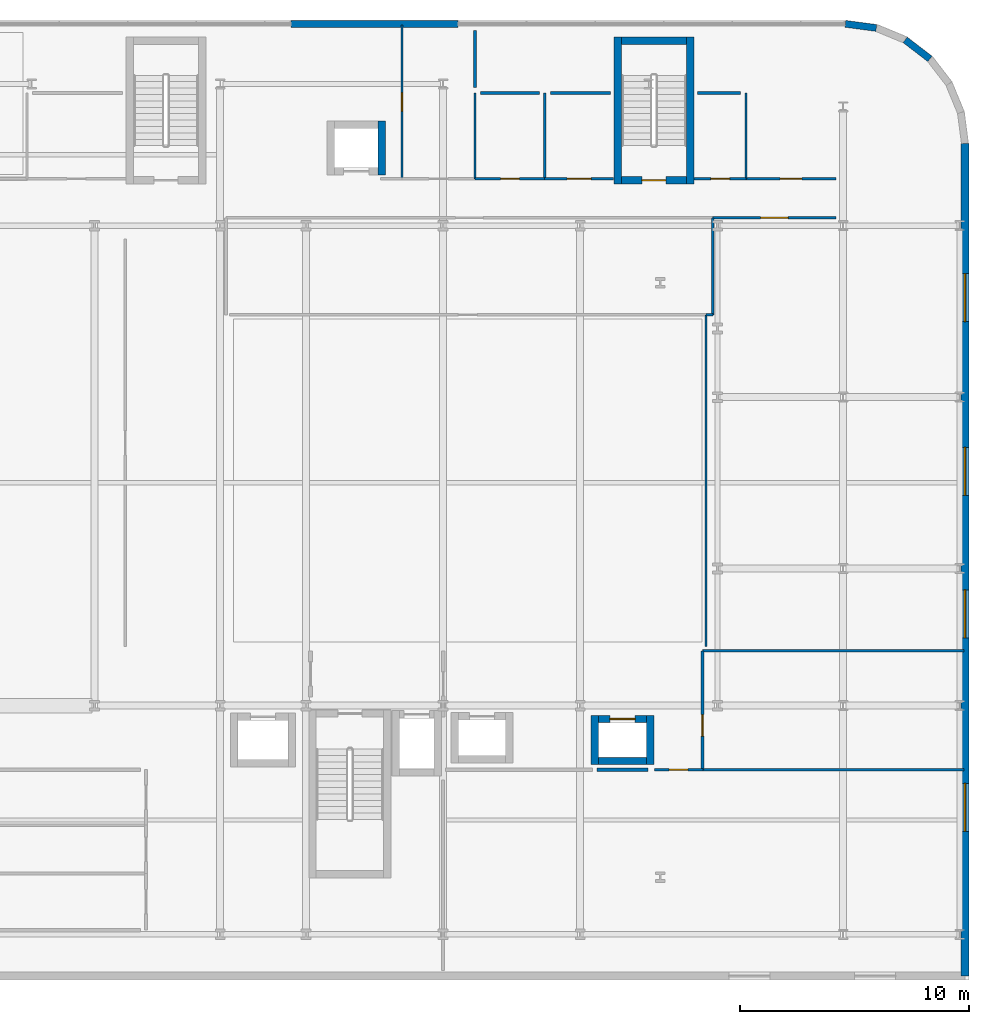
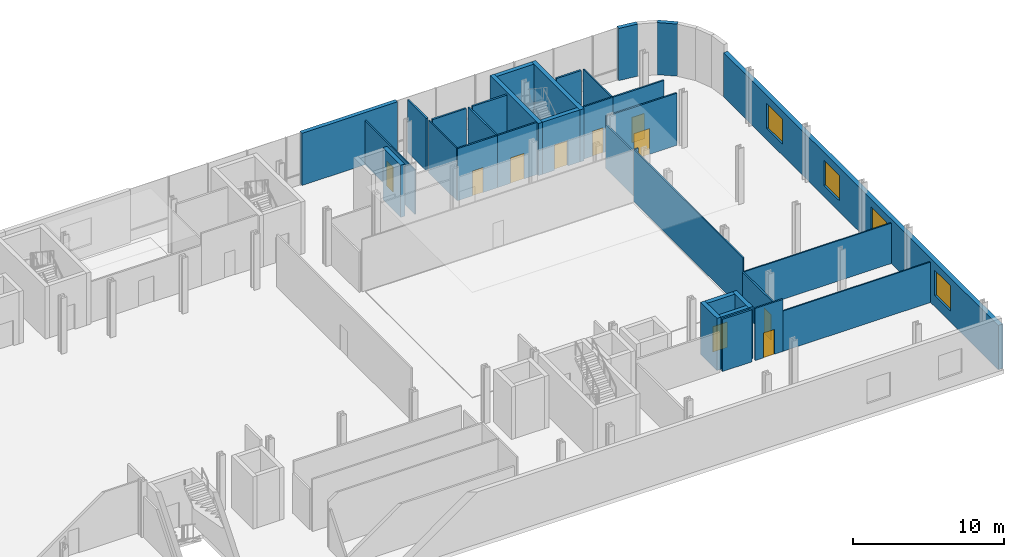
# One storey, part 20 of 25: 34 walls, 10 doors, 4 windows, 14 openings.
"""IFC4 building model written with IfcOpenShell, lengths in metres."""

from ifc_helpers import new_model, si_unit, direction, frame, frame_2d, origin, place, context, subcontext, project, spatial, rectangle, extrude, material, layer, layer_set, type_object, element, fill, save


model = new_model("IFC4")

# Units and contexts
model_context = context("Model", 3, precision=1e-05, world=origin(), true_north=direction((0.0, 1.0)))
body_context = subcontext(model_context, "Body", "Model", "MODEL_VIEW")
ifc_project = project(units=[si_unit("LENGTHUNIT", "METRE"), si_unit("AREAUNIT", "SQUARE_METRE"), si_unit("VOLUMEUNIT", "CUBIC_METRE"), si_unit("PLANEANGLEUNIT", "RADIAN"), si_unit("MASSUNIT", "GRAM", prefix="KILO")], contexts=[model_context])

# Site, building, storey
site_placement = place(None, origin())
site = spatial("IfcSite", under=ifc_project, at=site_placement, CompositionType="ELEMENT")
building_placement = place(site_placement, origin())
building = spatial("IfcBuilding", under=site, at=building_placement, Name="Brevholm Reach", CompositionType="ELEMENT")
storey_placement = place(building_placement, frame((0.0, 0.0, 4.5)))
storey = spatial("IfcBuildingStorey", under=building, at=storey_placement, Name="L01", CompositionType="ELEMENT", Elevation=4.5)

# Walls
ifc_material_1 = material(Name="Concrete C60/75", Category="concrete")
ifc_layer_1 = layer(ifc_material_1, 0.320068359375)
ifc_layer_set_1 = layer_set([ifc_layer_1], Name="Concrete C60/75")
wall_type_1 = type_object("IfcWallType", Name="WAL-COR-320", PredefinedType="SHEAR", material=ifc_layer_set_1)
for number, where, z_axis, x_axis, name in (
    (1, (55.639892578125, 32.830078125, 0.0), (0.0, 0.0, 1.0), (0.0, 1.0, 0.0), "L01 Escape Stair ST-S4 Core Wall W"),
    (2, (58.81005859375, 32.830078125, 0.0), (0.0, 0.0, 1.0), (0.0, 1.0, 0.0), "L01 Escape Stair ST-S4 Core Wall E"),
):
    element("IfcWall", number, at=place(storey_placement, frame(where, z_axis=z_axis, x_axis=x_axis)), inside=storey, type_object=wall_type_1, Name=name, PredefinedType="SHEAR", context=body_context, shape_type="SweptSolid", body=[
        extrude(rectangle(XDim=6.419921875, YDim=0.320068359375, at=frame_2d((3.2099609375, 0.0))), origin(), (0.0, 0.0, 1.0), 4.219970703125),
    ])

# Wall, opening, door
wall_1_placement = place(storey_placement, frame((55.800048828125, 32.989990234375, 0.0), z_axis=(0.0, 0.0, 1.0), x_axis=(1.0, 0.0, 0.0)))
wall_1 = element("IfcWall", 3, at=wall_1_placement, inside=storey, type_object=wall_type_1, Name="L01 Escape Stair ST-S4 Core Wall S", PredefinedType="SHEAR", context=body_context, shape_type="SweptSolid", body=[
    extrude(rectangle(XDim=2.849853515625, YDim=0.320068359375, at=frame_2d((1.4248046875, 0.0))), origin(), (0.0, 0.0, 1.0), 4.219970703125),
])
opening_1_placement = place(wall_1_placement, frame((0.89990234375, 0.0, 0.0)))
opening_1 = element("IfcOpeningElement", 4, at=opening_1_placement, cuts=wall_1, Name="Opening SD-ST-S4", PredefinedType="OPENING", context=body_context, shape_type="SweptSolid", body=[
    extrude(rectangle(XDim=1.050048828125, YDim=2.06005859375, at=frame_2d((0.52490234375, 1.030029296875))), frame((0.0, 0.169921875, 0.0), z_axis=(0.0, -1.0, 0.0), x_axis=(1.0, 0.0, 0.0)), (0.0, 0.0, 1.0), 0.340087890625),
])
ifc_material_2 = material(Name="Hardwood-Lipped Steel-Core Fire and Smoke Door", Category="steel")
door_type_1 = type_object("IfcDoorType", Name="DOR-INT-FD60S", OperationType="NOTDEFINED", PredefinedType="DOOR", material=ifc_material_2)
door_1_placement = place(opening_1_placement, origin())
door_1 = element("IfcDoor", 5, at=door_1_placement, inside=storey, type_object=door_type_1, Name="L01 Protected Stair ST-S4 Lobby Door", OperationType="SINGLE_SWING_RIGHT", OverallHeight=2.06005859375, OverallWidth=1.050048828125, PredefinedType="DOOR", context=body_context, shape_type="SweptSolid", body=[
    extrude(rectangle(XDim=1.050048828125, YDim=2.06005859375, at=frame_2d((0.52490234375, 1.030029296875))), frame((0.0, 0.02490234375, 0.0), z_axis=(0.0, -1.0, 0.0), x_axis=(1.0, 0.0, 0.0)), (0.0, 0.0, 1.0), 0.050048828125),
])
fill(opening_1, door_1)

# Walls
wall_2_placement = place(storey_placement, frame((58.64990234375, 39.090087890625, 0.0), z_axis=(0.0, 0.0, 1.0), x_axis=(-1.0, 0.0, 0.0)))
element("IfcWall", 6, at=wall_2_placement, inside=storey, type_object=wall_type_1, Name="L01 Escape Stair ST-S4 Core Wall N", PredefinedType="SHEAR", context=body_context, shape_type="SweptSolid", body=[
    extrude(rectangle(XDim=2.849853515625, YDim=0.320068359375, at=frame_2d((1.4248046875, 0.0))), origin(), (0.0, 0.0, 1.0), 4.219970703125),
])
for number, where, z_axis, x_axis, name in (
    (7, (54.6298828125, 7.419921875, 0.0), (0.0, 0.0, 1.0), (0.0, 1.0, 0.0), "L01 Lift PL-L2 Shaft Wall W"),
    (8, (57.070068359375, 7.419921875, 0.0), (0.0, 0.0, 1.0), (0.0, 1.0, 0.0), "L01 Lift PL-L2 Shaft Wall E"),
):
    element("IfcWall", number, at=place(storey_placement, frame(where, z_axis=z_axis, x_axis=x_axis)), inside=storey, type_object=wall_type_1, Name=name, PredefinedType="SHEAR", context=body_context, shape_type="SweptSolid", body=[
        extrude(rectangle(XDim=2.16015625, YDim=0.320068359375, at=frame_2d((1.080078125, 0.0))), origin(), (0.0, 0.0, 1.0), 4.219970703125),
    ])
wall_3_placement = place(storey_placement, frame((54.7900390625, 7.580078125, 0.0), z_axis=(0.0, 0.0, 1.0), x_axis=(1.0, 0.0, 0.0)))
element("IfcWall", 9, at=wall_3_placement, inside=storey, type_object=wall_type_1, Name="L01 Lift PL-L2 Shaft Wall S", PredefinedType="SHEAR", context=body_context, shape_type="SweptSolid", body=[
    extrude(rectangle(XDim=2.119873046875, YDim=0.320068359375, at=frame_2d((1.06005859375, 0.0))), origin(), (0.0, 0.0, 1.0), 4.219970703125),
])

# Wall, opening, door
wall_4_placement = place(storey_placement, frame((54.7900390625, 9.419921875, 0.0), z_axis=(0.0, 0.0, 1.0), x_axis=(1.0, 0.0, 0.0)))
wall_4 = element("IfcWall", 10, at=wall_4_placement, inside=storey, type_object=wall_type_1, Name="L01 Lift PL-L2 Shaft Wall N", PredefinedType="SHEAR", context=body_context, shape_type="SweptSolid", body=[
    extrude(rectangle(XDim=2.119873046875, YDim=0.320068359375, at=frame_2d((1.06005859375, 0.0))), origin(), (0.0, 0.0, 1.0), 4.219970703125),
])
opening_2_placement = place(wall_4_placement, frame((0.510009765625, 0.0, 0.0)))
opening_2 = element("IfcOpeningElement", 11, at=opening_2_placement, cuts=wall_4, Name="Opening LD-PL-L2", PredefinedType="OPENING", context=body_context, shape_type="SweptSolid", body=[
    extrude(rectangle(XDim=1.10009765625, YDim=2.06005859375, at=frame_2d((0.550048828125, 1.030029296875))), frame((0.0, 0.169921875, 0.0), z_axis=(0.0, -1.0, 0.0), x_axis=(1.0, 0.0, 0.0)), (0.0, 0.0, 1.0), 0.340087890625),
])
ifc_material_3 = material(Name="Brushed Stainless Steel Fire-Rated Sliding Lift Door", Category="steel")
door_type_2 = type_object("IfcDoorType", Name="DOR-LFT-1100", OperationType="NOTDEFINED", PredefinedType="DOOR", material=ifc_material_3)
door_2_placement = place(opening_2_placement, origin())
door_2 = element("IfcDoor", 12, at=door_2_placement, inside=storey, type_object=door_type_2, Name="L01 Lift PL-L2 Sliding Landing Door", OperationType="SLIDING_TO_RIGHT", OverallHeight=2.06005859375, OverallWidth=1.10009765625, PredefinedType="DOOR", context=body_context, shape_type="SweptSolid", body=[
    extrude(rectangle(XDim=1.10009765625, YDim=2.06005859375, at=frame_2d((0.550048828125, 1.030029296875))), frame((0.0, 0.02490234375, 0.0), z_axis=(0.0, -1.0, 0.0), x_axis=(1.0, 0.0, 0.0)), (0.0, 0.0, 1.0), 0.050048828125),
])
fill(opening_2, door_2)

# Walls
wall_5_placement = place(storey_placement, frame((45.320068359375, 33.219970703125, 0.0), z_axis=(0.0, 0.0, 1.0), x_axis=(0.0, 1.0, 0.0)))
element("IfcWall", 13, at=wall_5_placement, inside=storey, type_object=wall_type_1, Name="L01 Lift SL-2 Shaft Wall E", PredefinedType="SHEAR", context=body_context, shape_type="SweptSolid", body=[
    extrude(rectangle(XDim=2.360107421875, YDim=0.320068359375, at=frame_2d((1.18017578125, 0.0))), origin(), (0.0, 0.0, 1.0), 4.219970703125),
])
ifc_material_4 = material(Name="Concrete C40/50", Category="concrete")
ifc_layer_2 = layer(ifc_material_4, 0.300048828125)
ifc_layer_set_2 = layer_set([ifc_layer_2], Name="Concrete C40/50")
wall_type_2 = type_object("IfcWallType", Name="WAL-EXT-300", PredefinedType="STANDARD", material=ifc_layer_set_2)
for number, where, z_axis, x_axis, name in (
    (14, (65.60009765625, 39.830078125, 0.0), (0.0, 0.0, 1.0), (0.991442117533, -0.13054703207, 0.0), "L01 Facade Wall WAL-L01-NEP-1"),
    (15, (68.215087890625, 39.12939453125, 0.0), (0.0, 0.0, 1.0), (0.793255091989, -0.6088894473, 0.0), "L01 Facade Wall WAL-L01-NEP-3"),
):
    element("IfcWall", number, at=place(storey_placement, frame(where, z_axis=z_axis, x_axis=x_axis)), inside=storey, type_object=wall_type_2, Name=name, PredefinedType="STANDARD", context=body_context, shape_type="SweptSolid", body=[
        extrude(rectangle(XDim=1.365234375, YDim=0.300048828125, at=frame_2d((0.6826171875, 0.0))), origin(), (0.0, 0.0, 1.0), 4.219970703125),
    ])
wall_6_placement = place(storey_placement, frame((41.35009765625, 39.830078125, 0.0), z_axis=(0.0, 0.0, 1.0), x_axis=(1.0, 0.0, 0.0)))
element("IfcWall", 16, at=wall_6_placement, inside=storey, type_object=wall_type_2, Name="L01 Facade Wall WAL-L01-NPE", PredefinedType="STANDARD", context=body_context, shape_type="SweptSolid", body=[
    extrude(rectangle(XDim=7.2998046875, YDim=0.300048828125, at=frame_2d((3.64990234375, 0.0))), origin(), (0.0, 0.0, 1.0), 4.219970703125),
])

# Wall, openings, windows
ifc_material_5 = material(Name="Concrete C40/50", Category="concrete")
ifc_layer_3 = layer(ifc_material_5, 0.340087890625)
ifc_layer_set_3 = layer_set([ifc_layer_3], Name="Concrete C40/50")
wall_type_3 = type_object("IfcWallType", Name="WAL-EXT-340", PredefinedType="STANDARD", material=ifc_layer_set_3)
wall_7_placement = place(storey_placement, frame((70.830078125, -1.830078125, 0.0), z_axis=(0.0, 0.0, 1.0), x_axis=(0.0, 1.0, 0.0)))
wall_7 = element("IfcWall", 17, at=wall_7_placement, inside=storey, type_object=wall_type_3, Name="L01 Facade Wall WAL-L01-E", PredefinedType="STANDARD", context=body_context, shape_type="SweptSolid", body=[
    extrude(rectangle(XDim=36.43017578125, YDim=0.340087890625, at=frame_2d((18.215087890625, 0.0))), origin(), (0.0, 0.0, 1.0), 3.582763671875),
])
opening_3_placement = place(wall_7_placement, frame((6.330078125, 0.0, 0.89990234375)))
opening_3 = element("IfcOpeningElement", 18, at=opening_3_placement, cuts=wall_7, Name="Opening WN-02", PredefinedType="OPENING", context=body_context, shape_type="SweptSolid", body=[
    extrude(rectangle(XDim=2.10009765625, YDim=2.050048828125, at=frame_2d((1.050048828125, 1.02490234375))), frame((0.0, 0.179931640625, 0.0), z_axis=(0.0, -1.0, 0.0), x_axis=(1.0, 0.0, 0.0)), (0.0, 0.0, 1.0), 0.360107421875),
])
opening_4_placement = place(wall_7_placement, frame((14.800048828125, 0.0, 0.89990234375)))
opening_4 = element("IfcOpeningElement", 19, at=opening_4_placement, cuts=wall_7, Name="Opening WN-02", PredefinedType="OPENING", context=body_context, shape_type="SweptSolid", body=[
    extrude(rectangle(XDim=2.10009765625, YDim=2.050048828125, at=frame_2d((1.050048828125, 1.02490234375))), frame((0.0, 0.179931640625, 0.0), z_axis=(0.0, -1.0, 0.0), x_axis=(1.0, 0.0, 0.0)), (0.0, 0.0, 1.0), 0.360107421875),
])
opening_5_placement = place(wall_7_placement, frame((21.030029296875, 0.0, 0.89990234375)))
opening_5 = element("IfcOpeningElement", 20, at=opening_5_placement, cuts=wall_7, Name="Opening WN-02", PredefinedType="OPENING", context=body_context, shape_type="SweptSolid", body=[
    extrude(rectangle(XDim=2.10009765625, YDim=2.050048828125, at=frame_2d((1.050048828125, 1.02490234375))), frame((0.0, 0.179931640625, 0.0), z_axis=(0.0, -1.0, 0.0), x_axis=(1.0, 0.0, 0.0)), (0.0, 0.0, 1.0), 0.360107421875),
])
opening_6_placement = place(wall_7_placement, frame((28.6298828125, 0.0, 0.89990234375)))
opening_6 = element("IfcOpeningElement", 21, at=opening_6_placement, cuts=wall_7, Name="Opening WN-02", PredefinedType="OPENING", context=body_context, shape_type="SweptSolid", body=[
    extrude(rectangle(XDim=2.10009765625, YDim=2.050048828125, at=frame_2d((1.050048828125, 1.02490234375))), frame((0.0, 0.179931640625, 0.0), z_axis=(0.0, -1.0, 0.0), x_axis=(1.0, 0.0, 0.0)), (0.0, 0.0, 1.0), 0.360107421875),
])
ifc_material_6 = material(Name="Dark Anodised Aluminium and Solar-Control IGU Glass", Category="aluminium")
window_type = type_object("IfcWindowType", Name="WIN-SCH-2100", PartitioningType="SINGLE_PANEL", PredefinedType="WINDOW", material=ifc_material_6)
window_1_placement = place(opening_3_placement, origin())
window_1 = element("IfcWindow", 22, at=window_1_placement, inside=storey, type_object=window_type, Name="L01 Window WIN-L01-E-1", OverallHeight=2.050048828125, OverallWidth=2.10009765625, PartitioningType="SINGLE_PANEL", PredefinedType="WINDOW", context=body_context, shape_type="SweptSolid", body=[
    extrude(rectangle(XDim=2.10009765625, YDim=2.050048828125, at=frame_2d((1.050048828125, 1.02490234375))), frame((0.0, 0.030029296875, 0.0), z_axis=(0.0, -1.0, 0.0), x_axis=(1.0, 0.0, 0.0)), (0.0, 0.0, 1.0), 0.06005859375),
])
fill(opening_3, window_1)
window_2_placement = place(opening_4_placement, origin())
window_2 = element("IfcWindow", 23, at=window_2_placement, inside=storey, type_object=window_type, Name="L01 Window WIN-L01-E-2", OverallHeight=2.050048828125, OverallWidth=2.10009765625, PartitioningType="SINGLE_PANEL", PredefinedType="WINDOW", context=body_context, shape_type="SweptSolid", body=[
    extrude(rectangle(XDim=2.10009765625, YDim=2.050048828125, at=frame_2d((1.050048828125, 1.02490234375))), frame((0.0, 0.030029296875, 0.0), z_axis=(0.0, -1.0, 0.0), x_axis=(1.0, 0.0, 0.0)), (0.0, 0.0, 1.0), 0.06005859375),
])
fill(opening_4, window_2)
window_3_placement = place(opening_5_placement, origin())
window_3 = element("IfcWindow", 24, at=window_3_placement, inside=storey, type_object=window_type, Name="L01 Window WIN-L01-E-3", OverallHeight=2.050048828125, OverallWidth=2.10009765625, PartitioningType="SINGLE_PANEL", PredefinedType="WINDOW", context=body_context, shape_type="SweptSolid", body=[
    extrude(rectangle(XDim=2.10009765625, YDim=2.050048828125, at=frame_2d((1.050048828125, 1.02490234375))), frame((0.0, 0.030029296875, 0.0), z_axis=(0.0, -1.0, 0.0), x_axis=(1.0, 0.0, 0.0)), (0.0, 0.0, 1.0), 0.06005859375),
])
fill(opening_5, window_3)
window_4_placement = place(opening_6_placement, origin())
window_4 = element("IfcWindow", 25, at=window_4_placement, inside=storey, type_object=window_type, Name="L01 Window WIN-L01-E-4", OverallHeight=2.050048828125, OverallWidth=2.10009765625, PartitioningType="SINGLE_PANEL", PredefinedType="WINDOW", context=body_context, shape_type="SweptSolid", body=[
    extrude(rectangle(XDim=2.10009765625, YDim=2.050048828125, at=frame_2d((1.050048828125, 1.02490234375))), frame((0.0, 0.030029296875, 0.0), z_axis=(0.0, -1.0, 0.0), x_axis=(1.0, 0.0, 0.0)), (0.0, 0.0, 1.0), 0.06005859375),
])
fill(opening_6, window_4)

# Wall, opening, door
ifc_material_7 = material(Name="Moisture-Resistant Acoustic Gypsum Stud Partition 100 mm", Category="gypsum")
ifc_layer_4 = layer(ifc_material_7, 0.10009765625)
ifc_layer_set_4 = layer_set([ifc_layer_4], Name="Moisture-Resistant Acoustic Gypsum Stud Partition 100 mm")
wall_type_4 = type_object("IfcWallType", Name="WAL-PRT-100", PredefinedType="PARTITIONING", material=ifc_layer_set_4)
wall_8_placement = place(storey_placement, frame((46.199951171875, 33.053955078125, 0.0), z_axis=(0.0, 0.0, 1.0), x_axis=(0.0, 1.0, 0.0)))
wall_8 = element("IfcWall", 26, at=wall_8_placement, inside=storey, type_object=wall_type_4, Name="L01 Internal Partition 026", PredefinedType="PARTITIONING", context=body_context, shape_type="SweptSolid", body=[
    extrude(rectangle(XDim=6.72607421875, YDim=0.10009765625, at=frame_2d((3.363037109375, 0.0))), origin(), (0.0, 0.0, 1.0), 3.582763671875),
])
opening_7_placement = place(wall_8_placement, frame((2.952880859375, 0.0, 0.0)))
opening_7 = element("IfcOpeningElement", 27, at=opening_7_placement, cuts=wall_8, Name="Opening ID-03", PredefinedType="OPENING", context=body_context, shape_type="SweptSolid", body=[
    extrude(rectangle(XDim=0.820068359375, YDim=2.02001953125, at=frame_2d((0.41015625, 1.010009765625))), frame((0.0, 0.06005859375, 0.0), z_axis=(0.0, -1.0, 0.0), x_axis=(1.0, 0.0, 0.0)), (0.0, 0.0, 1.0), 0.1201171875),
])
ifc_material_8 = material(Name="Moisture-Resistant Painted Timber Internal Bathroom Door", Category="wood")
door_type_3 = type_object("IfcDoorType", Name="DOR-BATH-820", OperationType="NOTDEFINED", PredefinedType="DOOR", material=ifc_material_8)
door_3_placement = place(opening_7_placement, origin())
door_3 = element("IfcDoor", 28, at=door_3_placement, inside=storey, type_object=door_type_3, Name="L01 Access Door 023", OperationType="SINGLE_SWING_LEFT", OverallHeight=2.02001953125, OverallWidth=0.820068359375, PredefinedType="DOOR", context=body_context, shape_type="SweptSolid", body=[
    extrude(rectangle(XDim=0.820068359375, YDim=2.02001953125, at=frame_2d((0.41015625, 1.010009765625))), frame((0.0, 0.02490234375, 0.0), z_axis=(0.0, -1.0, 0.0), x_axis=(1.0, 0.0, 0.0)), (0.0, 0.0, 1.0), 0.050048828125),
])
fill(opening_7, door_3)

# Walls
wall_9_placement = place(storey_placement, frame((49.39990234375, 33.053955078125, 0.0), z_axis=(0.0, 0.0, 1.0), x_axis=(0.0, 1.0, 0.0)))
element("IfcWall", 29, at=wall_9_placement, inside=storey, type_object=wall_type_4, Name="L01 Internal Partition 027", PredefinedType="PARTITIONING", context=body_context, shape_type="SweptSolid", body=[
    extrude(rectangle(XDim=3.75732421875, YDim=0.10009765625, at=frame_2d((1.878662109375, 0.0))), origin(), (0.0, 0.0, 1.0), 4.219970703125),
])
wall_10_placement = place(storey_placement, frame((61.25, 33.053955078125, 0.0), z_axis=(0.0, 0.0, 1.0), x_axis=(0.0, 1.0, 0.0)))
element("IfcWall", 30, at=wall_10_placement, inside=storey, type_object=wall_type_4, Name="L01 Internal Partition 029", PredefinedType="PARTITIONING", context=body_context, shape_type="SweptSolid", body=[
    extrude(rectangle(XDim=3.74609375, YDim=0.10009765625, at=frame_2d((1.873046875, 0.0))), origin(), (0.0, 0.0, 1.0), 4.219970703125),
])
wall_11_placement = place(storey_placement, frame((59.5, 12.60009765625, 0.0), z_axis=(0.0, 0.0, 1.0), x_axis=(0.0, 1.0, 0.0)))
element("IfcWall", 31, at=wall_11_placement, inside=storey, type_object=wall_type_4, Name="L01 Internal Partition 031", PredefinedType="PARTITIONING", context=body_context, shape_type="SweptSolid", body=[
    extrude(rectangle(XDim=14.5, YDim=0.10009765625, at=frame_2d((7.25, 0.0))), origin(), (0.0, 0.0, 1.0), 4.219970703125),
])
wall_12_placement = place(storey_placement, frame((59.50390625, 27.10009765625, 0.0), z_axis=(0.0, 0.0, 1.0), x_axis=(1.0, 0.0, 0.0)))
element("IfcWall", 32, at=wall_12_placement, inside=storey, type_object=wall_type_4, Name="L01 Internal Partition 032", PredefinedType="PARTITIONING", context=body_context, shape_type="SweptSolid", body=[
    extrude(rectangle(XDim=0.296142578125, YDim=0.10009765625, at=frame_2d((0.14794921875, 0.0))), origin(), (0.0, 0.0, 1.0), 4.219970703125),
])
wall_13_placement = place(storey_placement, frame((59.800048828125, 27.10009765625, 0.0), z_axis=(0.0, 0.0, 1.0), x_axis=(0.0, 1.0, 0.0)))
element("IfcWall", 33, at=wall_13_placement, inside=storey, type_object=wall_type_4, Name="L01 Internal Partition 033", PredefinedType="PARTITIONING", context=body_context, shape_type="SweptSolid", body=[
    extrude(rectangle(XDim=4.245849609375, YDim=0.10009765625, at=frame_2d((2.123046875, 0.0))), origin(), (0.0, 0.0, 1.0), 3.582763671875),
])
wall_14_placement = place(storey_placement, frame((59.35009765625, 12.39990234375, 0.0), z_axis=(0.0, 0.0, 1.0), x_axis=(1.0, 0.0, 0.0)))
element("IfcWall", 34, at=wall_14_placement, inside=storey, type_object=wall_type_4, Name="L01 Internal Partition 034", PredefinedType="PARTITIONING", context=body_context, shape_type="SweptSolid", body=[
    extrude(rectangle(XDim=11.449951171875, YDim=0.10009765625, at=frame_2d((5.72509765625, 0.0))), origin(), (0.0, 0.0, 1.0), 3.268310546875),
])
wall_15_placement = place(storey_placement, frame((59.3427734375, 7.199951171875, 0.0), z_axis=(0.0, 0.0, 1.0), x_axis=(1.0, 0.0, 0.0)))
element("IfcWall", 35, at=wall_15_placement, inside=storey, type_object=wall_type_4, Name="L01 Internal Partition 036", PredefinedType="PARTITIONING", context=body_context, shape_type="SweptSolid", body=[
    extrude(rectangle(XDim=11.457275390625, YDim=0.10009765625, at=frame_2d((5.728515625, 0.0))), origin(), (0.0, 0.0, 1.0), 3.268310546875),
])

# Wall, opening, door
ifc_material_9 = material(Name="Acoustic Fire-Rated Classroom Gypsum Partition 120 mm", Category="gypsum")
ifc_layer_5 = layer(ifc_material_9, 0.1201171875)
ifc_layer_set_5 = layer_set([ifc_layer_5], Name="Acoustic Fire-Rated Classroom Gypsum Partition 120 mm")
wall_type_5 = type_object("IfcWallType", Name="WAL-PRT-120", PredefinedType="PARTITIONING", material=ifc_layer_set_5)
wall_16_placement = place(storey_placement, frame((49.392578125, 33.050048828125, 0.0), z_axis=(0.0, 0.0, 1.0), x_axis=(1.0, 0.0, 0.0)))
wall_16 = element("IfcWall", 36, at=wall_16_placement, inside=storey, type_object=wall_type_5, Name="L01 Internal Partition 014", PredefinedType="PARTITIONING", context=body_context, shape_type="SweptSolid", body=[
    extrude(rectangle(XDim=3.068603515625, YDim=0.1201171875, at=frame_2d((1.5341796875, 0.0))), origin(), (0.0, 0.0, 1.0), 4.219970703125),
])
opening_8_placement = place(wall_16_placement, frame((1.124267578125, 0.0, 0.0)))
opening_8 = element("IfcOpeningElement", 37, at=opening_8_placement, cuts=wall_16, Name="Opening ID-02", PredefinedType="OPENING", context=body_context, shape_type="SweptSolid", body=[
    extrude(rectangle(XDim=0.820068359375, YDim=2.02001953125, at=frame_2d((0.41015625, 1.010009765625))), frame((0.0, 0.070068359375, 0.0), z_axis=(0.0, -1.0, 0.0), x_axis=(1.0, 0.0, 0.0)), (0.0, 0.0, 1.0), 0.14013671875),
])
ifc_material_10 = material(Name="Moisture-Resistant Painted Timber Fire-Rated Riser and Service Door", Category="wood")
door_type_4 = type_object("IfcDoorType", Name="DOR-SRV-820", OperationType="NOTDEFINED", PredefinedType="DOOR", material=ifc_material_10)
door_4_placement = place(opening_8_placement, origin())
door_4 = element("IfcDoor", 38, at=door_4_placement, inside=storey, type_object=door_type_4, Name="L01 Internal Door 011", OperationType="SINGLE_SWING_LEFT", OverallHeight=2.02001953125, OverallWidth=0.820068359375, PredefinedType="DOOR", context=body_context, shape_type="SweptSolid", body=[
    extrude(rectangle(XDim=0.820068359375, YDim=2.02001953125, at=frame_2d((0.41015625, 1.010009765625))), frame((0.0, 0.02490234375, 0.0), z_axis=(0.0, -1.0, 0.0), x_axis=(1.0, 0.0, 0.0)), (0.0, 0.0, 1.0), 0.050048828125),
])
fill(opening_8, door_4)

wall_17_placement = place(storey_placement, frame((52.442626953125, 33.050048828125, 0.0), z_axis=(0.0, 0.0, 1.0), x_axis=(1.0, 0.0, 0.0)))
wall_17 = element("IfcWall", 39, at=wall_17_placement, inside=storey, type_object=wall_type_5, Name="L01 Internal Partition 015", PredefinedType="PARTITIONING", context=body_context, shape_type="SweptSolid", body=[
    extrude(rectangle(XDim=3.0185546875, YDim=0.1201171875, at=frame_2d((1.50927734375, 0.0))), origin(), (0.0, 0.0, 1.0), 4.219970703125),
])
opening_9_placement = place(wall_17_placement, frame((0.984375, 0.0, 0.0)))
opening_9 = element("IfcOpeningElement", 40, at=opening_9_placement, cuts=wall_17, Name="Opening FD-01", PredefinedType="OPENING", context=body_context, shape_type="SweptSolid", body=[
    extrude(rectangle(XDim=1.050048828125, YDim=2.06005859375, at=frame_2d((0.52490234375, 1.030029296875))), frame((0.0, 0.070068359375, 0.0), z_axis=(0.0, -1.0, 0.0), x_axis=(1.0, 0.0, 0.0)), (0.0, 0.0, 1.0), 0.14013671875),
])
door_5_placement = place(opening_9_placement, origin())
door_5 = element("IfcDoor", 41, at=door_5_placement, inside=storey, type_object=door_type_1, Name="L01 Internal Door 012", OperationType="SINGLE_SWING_RIGHT", OverallHeight=2.06005859375, OverallWidth=1.050048828125, PredefinedType="DOOR", context=body_context, shape_type="SweptSolid", body=[
    extrude(rectangle(XDim=1.050048828125, YDim=2.06005859375, at=frame_2d((0.52490234375, 1.030029296875))), frame((0.0, 0.02490234375, 0.0), z_axis=(0.0, -1.0, 0.0), x_axis=(1.0, 0.0, 0.0)), (0.0, 0.0, 1.0), 0.050048828125),
])
fill(opening_9, door_5)

wall_18_placement = place(storey_placement, frame((58.97998046875, 33.050048828125, 0.0), z_axis=(0.0, 0.0, 1.0), x_axis=(1.0, 0.0, 0.0)))
wall_18 = element("IfcWall", 42, at=wall_18_placement, inside=storey, type_object=wall_type_5, Name="L01 Internal Partition 016", PredefinedType="PARTITIONING", context=body_context, shape_type="SweptSolid", body=[
    extrude(rectangle(XDim=2.28125, YDim=0.1201171875, at=frame_2d((1.140625, 0.0))), origin(), (0.0, 0.0, 1.0), 4.219970703125),
])
opening_10_placement = place(wall_18_placement, frame((0.730712890625, 0.0, 0.0)))
opening_10 = element("IfcOpeningElement", 43, at=opening_10_placement, cuts=wall_18, Name="Opening ID-02", PredefinedType="OPENING", context=body_context, shape_type="SweptSolid", body=[
    extrude(rectangle(XDim=0.820068359375, YDim=2.02001953125, at=frame_2d((0.41015625, 1.010009765625))), frame((0.0, 0.070068359375, 0.0), z_axis=(0.0, -1.0, 0.0), x_axis=(1.0, 0.0, 0.0)), (0.0, 0.0, 1.0), 0.14013671875),
])
door_6_placement = place(opening_10_placement, origin())
door_6 = element("IfcDoor", 44, at=door_6_placement, inside=storey, type_object=door_type_4, Name="L01 Internal Door 013", OperationType="SINGLE_SWING_LEFT", OverallHeight=2.02001953125, OverallWidth=0.820068359375, PredefinedType="DOOR", context=body_context, shape_type="SweptSolid", body=[
    extrude(rectangle(XDim=0.820068359375, YDim=2.02001953125, at=frame_2d((0.41015625, 1.010009765625))), frame((0.0, 0.02490234375, 0.0), z_axis=(0.0, -1.0, 0.0), x_axis=(1.0, 0.0, 0.0)), (0.0, 0.0, 1.0), 0.050048828125),
])
fill(opening_10, door_6)

wall_19_placement = place(storey_placement, frame((61.24267578125, 33.050048828125, 0.0), z_axis=(0.0, 0.0, 1.0), x_axis=(1.0, 0.0, 0.0)))
wall_19 = element("IfcWall", 45, at=wall_19_placement, inside=storey, type_object=wall_type_5, Name="L01 Internal Partition 017", PredefinedType="PARTITIONING", context=body_context, shape_type="SweptSolid", body=[
    extrude(rectangle(XDim=3.957275390625, YDim=0.1201171875, at=frame_2d((1.978515625, 0.0))), origin(), (0.0, 0.0, 1.0), 4.219970703125),
])
opening_11_placement = place(wall_19_placement, frame((1.503662109375, 0.0, 0.0)))
opening_11 = element("IfcOpeningElement", 46, at=opening_11_placement, cuts=wall_19, Name="Opening ID-30", PredefinedType="OPENING", context=body_context, shape_type="SweptSolid", body=[
    extrude(rectangle(XDim=0.949951171875, YDim=2.050048828125, at=frame_2d((0.47509765625, 1.02490234375))), frame((0.0, 0.070068359375, 0.0), z_axis=(0.0, -1.0, 0.0), x_axis=(1.0, 0.0, 0.0)), (0.0, 0.0, 1.0), 0.14013671875),
])
ifc_material_11 = material(Name="European Oak Veneered Solid-Core Fire Entrance Door", Category="timber")
door_type_5 = type_object("IfcDoorType", Name="DOR-FLT-FD30S", OperationType="NOTDEFINED", PredefinedType="DOOR", material=ifc_material_11)
door_7_placement = place(opening_11_placement, origin())
door_7 = element("IfcDoor", 47, at=door_7_placement, inside=storey, type_object=door_type_5, Name="L01 Internal Door 014", OperationType="SINGLE_SWING_RIGHT", OverallHeight=2.050048828125, OverallWidth=0.949951171875, PredefinedType="DOOR", context=body_context, shape_type="SweptSolid", body=[
    extrude(rectangle(XDim=0.949951171875, YDim=2.050048828125, at=frame_2d((0.47509765625, 1.02490234375))), frame((0.0, 0.02490234375, 0.0), z_axis=(0.0, -1.0, 0.0), x_axis=(1.0, 0.0, 0.0)), (0.0, 0.0, 1.0), 0.050048828125),
])
fill(opening_11, door_7)

wall_20_placement = place(storey_placement, frame((59.792724609375, 31.35009765625, 0.0), z_axis=(0.0, 0.0, 1.0), x_axis=(1.0, 0.0, 0.0)))
wall_20 = element("IfcWall", 48, at=wall_20_placement, inside=storey, type_object=wall_type_5, Name="L01 Internal Partition 020", PredefinedType="PARTITIONING", context=body_context, shape_type="SweptSolid", body=[
    extrude(rectangle(XDim=5.4072265625, YDim=0.1201171875, at=frame_2d((2.70361328125, 0.0))), origin(), (0.0, 0.0, 1.0), 4.219970703125),
])
opening_12_placement = place(wall_20_placement, frame((2.103515625, 0.0, 0.0)))
opening_12 = element("IfcOpeningElement", 49, at=opening_12_placement, cuts=wall_20, Name="Opening ID-SC", PredefinedType="OPENING", context=body_context, shape_type="SweptSolid", body=[
    extrude(rectangle(XDim=1.199951171875, YDim=2.080078125, at=frame_2d((0.60009765625, 1.0400390625))), frame((0.0, 0.070068359375, 0.0), z_axis=(0.0, -1.0, 0.0), x_axis=(1.0, 0.0, 0.0)), (0.0, 0.0, 1.0), 0.14013671875),
])
ifc_material_12 = material(Name="Acoustic European Oak Classroom Vision-Panel Fire Door", Category="timber")
door_type_6 = type_object("IfcDoorType", Name="DOR-SCH-1200", OperationType="NOTDEFINED", PredefinedType="DOOR", material=ifc_material_12)
door_8_placement = place(opening_12_placement, origin())
door_8 = element("IfcDoor", 50, at=door_8_placement, inside=storey, type_object=door_type_6, Name="L01 Internal Door 017", OperationType="SINGLE_SWING_LEFT", OverallHeight=2.080078125, OverallWidth=1.199951171875, PredefinedType="DOOR", context=body_context, shape_type="SweptSolid", body=[
    extrude(rectangle(XDim=1.199951171875, YDim=2.080078125, at=frame_2d((0.60009765625, 1.0400390625))), frame((0.0, 0.02490234375, 0.0), z_axis=(0.0, -1.0, 0.0), x_axis=(1.0, 0.0, 0.0)), (0.0, 0.0, 1.0), 0.050048828125),
])
fill(opening_12, door_8)

# Wall
wall_21_placement = place(storey_placement, frame((52.449951171875, 33.053955078125, 0.0), z_axis=(0.0, 0.0, 1.0), x_axis=(0.0, 1.0, 0.0)))
element("IfcWall", 51, at=wall_21_placement, inside=storey, type_object=wall_type_5, Name="L01 Internal Partition 028", PredefinedType="PARTITIONING", context=body_context, shape_type="SweptSolid", body=[
    extrude(rectangle(XDim=3.74609375, YDim=0.1201171875, at=frame_2d((1.873046875, 0.0))), origin(), (0.0, 0.0, 1.0), 4.219970703125),
])

# Wall, opening, door
wall_22_placement = place(storey_placement, frame((57.23876953125, 7.199951171875, 0.0), z_axis=(0.0, 0.0, 1.0), x_axis=(1.0, 0.0, 0.0)))
wall_22 = element("IfcWall", 52, at=wall_22_placement, inside=storey, type_object=wall_type_5, Name="L01 Internal Partition 035", PredefinedType="PARTITIONING", context=body_context, shape_type="SweptSolid", body=[
    extrude(rectangle(XDim=2.12255859375, YDim=0.1201171875, at=frame_2d((1.061279296875, 0.0))), origin(), (0.0, 0.0, 1.0), 4.219970703125),
])
opening_13_placement = place(wall_22_placement, frame((0.6513671875, 0.0, 0.0)))
opening_13 = element("IfcOpeningElement", 53, at=opening_13_placement, cuts=wall_22, Name="Opening ID-02", PredefinedType="OPENING", context=body_context, shape_type="SweptSolid", body=[
    extrude(rectangle(XDim=0.820068359375, YDim=2.02001953125, at=frame_2d((0.41015625, 1.010009765625))), frame((0.0, 0.070068359375, 0.0), z_axis=(0.0, -1.0, 0.0), x_axis=(1.0, 0.0, 0.0)), (0.0, 0.0, 1.0), 0.14013671875),
])
door_9_placement = place(opening_13_placement, origin())
door_9 = element("IfcDoor", 54, at=door_9_placement, inside=storey, type_object=door_type_4, Name="L01 Internal Door 021", OperationType="SINGLE_SWING_LEFT", OverallHeight=2.02001953125, OverallWidth=0.820068359375, PredefinedType="DOOR", context=body_context, shape_type="SweptSolid", body=[
    extrude(rectangle(XDim=0.820068359375, YDim=2.02001953125, at=frame_2d((0.41015625, 1.010009765625))), frame((0.0, 0.02490234375, 0.0), z_axis=(0.0, -1.0, 0.0), x_axis=(1.0, 0.0, 0.0)), (0.0, 0.0, 1.0), 0.050048828125),
])
fill(opening_13, door_9)

wall_23_placement = place(storey_placement, frame((59.35009765625, 7.2041015625, 0.0), z_axis=(0.0, 0.0, 1.0), x_axis=(0.0, 1.0, 0.0)))
wall_23 = element("IfcWall", 55, at=wall_23_placement, inside=storey, type_object=wall_type_5, Name="L01 Internal Partition 037", PredefinedType="PARTITIONING", context=body_context, shape_type="SweptSolid", body=[
    extrude(rectangle(XDim=5.19189453125, YDim=0.1201171875, at=frame_2d((2.595947265625, 0.0))), origin(), (0.0, 0.0, 1.0), 3.268310546875),
])
opening_14_placement = place(wall_23_placement, frame((1.4609375, 0.0, 0.0)))
opening_14 = element("IfcOpeningElement", 56, at=opening_14_placement, cuts=wall_23, Name="Opening ID-30", PredefinedType="OPENING", context=body_context, shape_type="SweptSolid", body=[
    extrude(rectangle(XDim=0.949951171875, YDim=2.050048828125, at=frame_2d((0.47509765625, 1.02490234375))), frame((0.0, 0.070068359375, 0.0), z_axis=(0.0, -1.0, 0.0), x_axis=(1.0, 0.0, 0.0)), (0.0, 0.0, 1.0), 0.14013671875),
])
door_10_placement = place(opening_14_placement, origin())
door_10 = element("IfcDoor", 57, at=door_10_placement, inside=storey, type_object=door_type_5, Name="L01 Internal Door 022", OperationType="SINGLE_SWING_RIGHT", OverallHeight=2.050048828125, OverallWidth=0.949951171875, PredefinedType="DOOR", context=body_context, shape_type="SweptSolid", body=[
    extrude(rectangle(XDim=0.949951171875, YDim=2.050048828125, at=frame_2d((0.47509765625, 1.02490234375))), frame((0.0, 0.02490234375, 0.0), z_axis=(0.0, -1.0, 0.0), x_axis=(1.0, 0.0, 0.0)), (0.0, 0.0, 1.0), 0.050048828125),
])
fill(opening_14, door_10)

# Walls
ifc_material_13 = material(Name="Twin-Stud Acoustic Fire-Rated Gypsum Partition 140 mm", Category="gypsum")
ifc_layer_6 = layer(ifc_material_13, 0.139892578125)
ifc_layer_set_6 = layer_set([ifc_layer_6], Name="Twin-Stud Acoustic Fire-Rated Gypsum Partition 140 mm")
wall_type_6 = type_object("IfcWallType", Name="WAL-PRT-140", PredefinedType="PARTITIONING", material=ifc_layer_set_6)
wall_24_placement = place(storey_placement, frame((49.39990234375, 37.05126953125, 0.0), z_axis=(0.0, 0.0, 1.0), x_axis=(0.0, 1.0, 0.0)))
element("IfcWall", 58, at=wall_24_placement, inside=storey, type_object=wall_type_6, Name="L01 Internal Partition 043", PredefinedType="PARTITIONING", context=body_context, shape_type="SweptSolid", body=[
    extrude(rectangle(XDim=2.498779296875, YDim=0.139892578125, at=frame_2d((1.24951171875, 0.0))), origin(), (0.0, 0.0, 1.0), 4.219970703125),
])
wall_25_placement = place(storey_placement, frame((49.639892578125, 36.800048828125, 0.0), z_axis=(0.0, 0.0, 1.0), x_axis=(1.0, 0.0, 0.0)))
element("IfcWall", 59, at=wall_25_placement, inside=storey, type_object=wall_type_6, Name="L01 Internal Partition 044", PredefinedType="PARTITIONING", context=body_context, shape_type="SweptSolid", body=[
    extrude(rectangle(XDim=2.570068359375, YDim=0.139892578125, at=frame_2d((1.28515625, 0.0))), origin(), (0.0, 0.0, 1.0), 4.219970703125),
])
wall_26_placement = place(storey_placement, frame((52.68994140625, 36.800048828125, 0.0), z_axis=(0.0, 0.0, 1.0), x_axis=(1.0, 0.0, 0.0)))
element("IfcWall", 60, at=wall_26_placement, inside=storey, type_object=wall_type_6, Name="L01 Internal Partition 045", PredefinedType="PARTITIONING", context=body_context, shape_type="SweptSolid", body=[
    extrude(rectangle(XDim=2.64013671875, YDim=0.139892578125, at=frame_2d((1.320068359375, 0.0))), origin(), (0.0, 0.0, 1.0), 4.219970703125),
])
wall_27_placement = place(storey_placement, frame((59.1201171875, 36.800048828125, 0.0), z_axis=(0.0, 0.0, 1.0), x_axis=(1.0, 0.0, 0.0)))
element("IfcWall", 61, at=wall_27_placement, inside=storey, type_object=wall_type_6, Name="L01 Internal Partition 046", PredefinedType="PARTITIONING", context=body_context, shape_type="SweptSolid", body=[
    extrude(rectangle(XDim=1.889892578125, YDim=0.139892578125, at=frame_2d((0.94482421875, 0.0))), origin(), (0.0, 0.0, 1.0), 4.219970703125),
])
wall_28_placement = place(storey_placement, frame((54.7255859375, 7.199951171875, 0.0), z_axis=(0.0, 0.0, 1.0), x_axis=(1.0, 0.0, 0.0)))
element("IfcWall", 62, at=wall_28_placement, inside=storey, type_object=wall_type_6, Name="L01 Internal Partition 049", PredefinedType="PARTITIONING", context=body_context, shape_type="SweptSolid", body=[
    extrude(rectangle(XDim=2.2490234375, YDim=0.139892578125, at=frame_2d((1.12451171875, 0.0))), origin(), (0.0, 0.0, 1.0), 4.219970703125),
])

save(model, "model.ifc")
